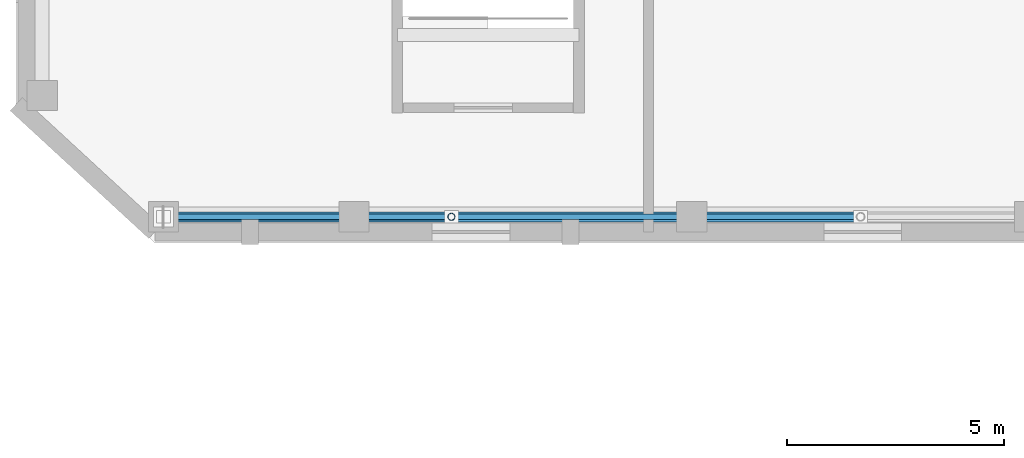
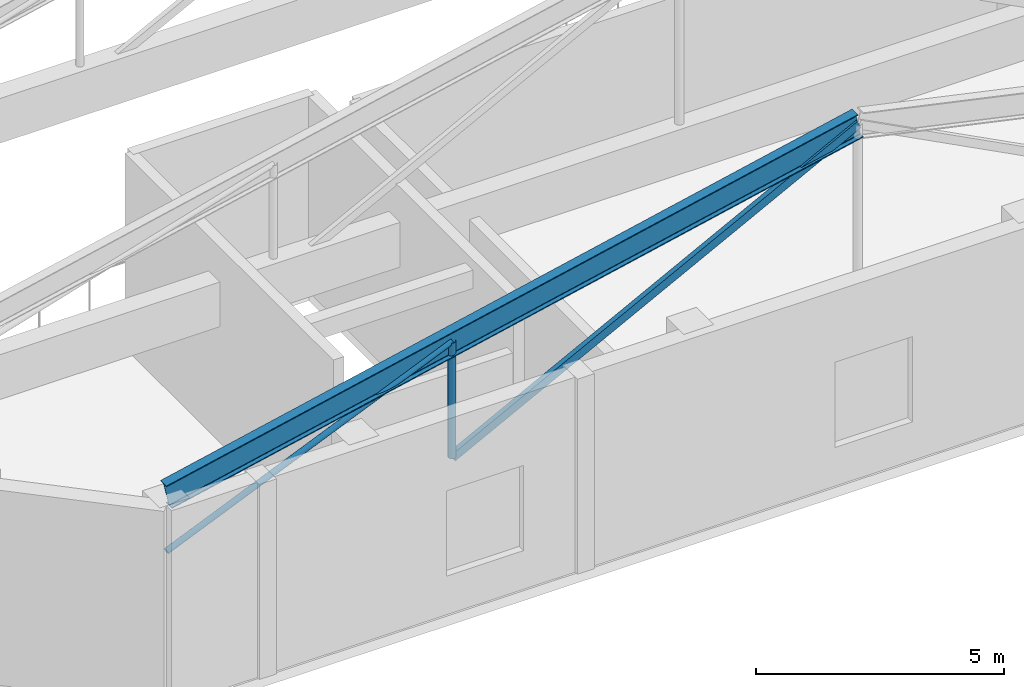
# One storey, part 14 of 105: 3 members, 1 beam.
"""IFC4 building model written with IfcOpenShell, lengths in metres."""

from ifc_helpers import new_model, si_unit, direction, frame, origin, origin_2d, place, context, subcontext, project, spatial, hollow_rectangle, hollow_circle, i_section, extrude, material, material_profile, profile_set, type_object, element, save


model = new_model("IFC4")

# Units and contexts
model_context = context("Model", 3, precision=1e-05, world=origin(), true_north=direction((0.0, 1.0)))
body_context = subcontext(model_context, "Body", "Model", "MODEL_VIEW")
ifc_project = project(units=[si_unit("LENGTHUNIT", "METRE"), si_unit("AREAUNIT", "SQUARE_METRE"), si_unit("VOLUMEUNIT", "CUBIC_METRE"), si_unit("PLANEANGLEUNIT", "RADIAN"), si_unit("MASSUNIT", "GRAM", prefix="KILO")], contexts=[model_context])

# Site, building, storey
site_placement = place(None, origin())
site = spatial("IfcSite", under=ifc_project, at=site_placement, CompositionType="ELEMENT")
building_placement = place(site_placement, origin())
building = spatial("IfcBuilding", under=site, at=building_placement, Name="Pelvatis Terrace Science Centre", CompositionType="ELEMENT")
storey_placement = place(building_placement, frame((0.0, 0.0, 10.199951171875)))
storey = spatial("IfcBuildingStorey", under=building, at=storey_placement, Name="L02", CompositionType="ELEMENT", Elevation=10.199951171875)

# Beam
ifc_material_1 = material(Name="Structural steel S355", Category="steel")
ifc_material_profile_1 = material_profile(ifc_material_1, i_section(OverallWidth=0.22998046875, OverallDepth=0.616943359375, WebThickness=0.01318359375, FlangeThickness=0.022216796875, FilletRadius=0.01611328125, at=origin_2d()), Name="W610x140")
ifc_profile_set_1 = profile_set([ifc_material_profile_1], Name="Structural steel S355")
beam_type = type_object("IfcBeamType", Name="BM-STL-W610x140", PredefinedType="BEAM", material=ifc_profile_set_1)
beam_placement = place(storey_placement, frame((11.199951171875, 70.800048828125, 4.793701171875), z_axis=(0.977096595659, 0.0, 0.212796247033), x_axis=(0.0, 1.0, 0.0)))
element("IfcBeam", 1, at=beam_placement, inside=storey, type_object=beam_type, Name="Theatre roof truss 1 west top girder", PredefinedType="BEAM", context=body_context, shape_type="SweptSolid", body=[
    extrude(i_section(OverallWidth=0.22998046875, OverallDepth=0.616943359375, WebThickness=0.01318359375, FlangeThickness=0.022216796875, FilletRadius=0.01611328125, at=origin_2d()), origin(), (0.0, 0.0, 1.0), 16.4775390625),
])

# Members
ifc_material_2 = material(Name="Structural steel S355", Category="steel")
ifc_material_profile_2 = material_profile(ifc_material_2, hollow_circle(Radius=0.06982421875, WallThickness=0.0048828125, at=origin_2d()), Name="CHS 139.7x5.0")
ifc_profile_set_2 = profile_set([ifc_material_profile_2], Name="Structural steel S355")
member_type_1 = type_object("IfcMemberType", Name="MEM-BRC-CHS140", PredefinedType="BRACE", material=ifc_profile_set_2)
member_1_placement = place(storey_placement, frame((11.199951171875, 70.800048828125, 3.400146484375), z_axis=(0.919155502, 0.0, 0.393894863058), x_axis=(0.0, 1.0, 0.0)))
element("IfcMember", 2, at=member_1_placement, inside=storey, type_object=member_type_1, Name="Theatre truss 1 web 3", PredefinedType="BRACE", context=body_context, shape_type="SweptSolid", body=[
    extrude(hollow_circle(Radius=0.06982421875, WallThickness=0.0048828125, at=origin_2d()), origin(), (0.0, 0.0, 1.0), 7.235107421875),
])
ifc_material_3 = material(Name="Structural steel S355", Category="steel")
ifc_material_profile_3 = material_profile(ifc_material_3, hollow_rectangle(XDim=0.1201171875, YDim=0.199951171875, WallThickness=0.00634765625, at=origin_2d()), Name="RHS 200x120x6.3")
ifc_profile_set_3 = profile_set([ifc_material_profile_3], Name="Structural steel S355")
member_type_2 = type_object("IfcMemberType", Name="MEM-BRC-RHS200", PredefinedType="BRACE", material=ifc_profile_set_3)
member_2_placement = place(storey_placement, frame((17.85009765625, 70.800048828125, 3.400146484375), z_axis=(0.887757308466, 0.0, 0.46031180874), x_axis=(0.0, 1.0, 0.0)))
element("IfcMember", 3, at=member_2_placement, inside=storey, type_object=member_type_2, Name="Theatre truss 1 web 4", PredefinedType="BRACE", context=body_context, shape_type="SweptSolid", body=[
    extrude(hollow_rectangle(XDim=0.1201171875, YDim=0.199951171875, WallThickness=0.00634765625, at=origin_2d()), origin(), (0.0, 0.0, 1.0), 10.644775390625),
])
ifc_material_4 = material(Name="Structural steel S355", Category="steel")
ifc_material_profile_4 = material_profile(ifc_material_4, hollow_circle(Radius=0.084228515625, WallThickness=0.00634765625, at=origin_2d()), Name="CHS 168.3x6.3")
ifc_profile_set_4 = profile_set([ifc_material_profile_4], Name="Structural steel S355")
member_type_3 = type_object("IfcMemberType", Name="MEM-STR-CHS168", PredefinedType="STRUT", material=ifc_profile_set_4)
member_3_placement = place(storey_placement, frame((17.85009765625, 70.800048828125, 3.400146484375), z_axis=(0.0, 0.0, 1.0), x_axis=(1.0, 0.0, 0.0)))
element("IfcMember", 4, at=member_3_placement, inside=storey, type_object=member_type_3, Name="Theatre truss 1 web 1", PredefinedType="STRUT", context=body_context, shape_type="SweptSolid", body=[
    extrude(hollow_circle(Radius=0.084228515625, WallThickness=0.00634765625, at=origin_2d()), origin(), (0.0, 0.0, 1.0), 2.849853515625),
])

save(model, "model.ifc")
